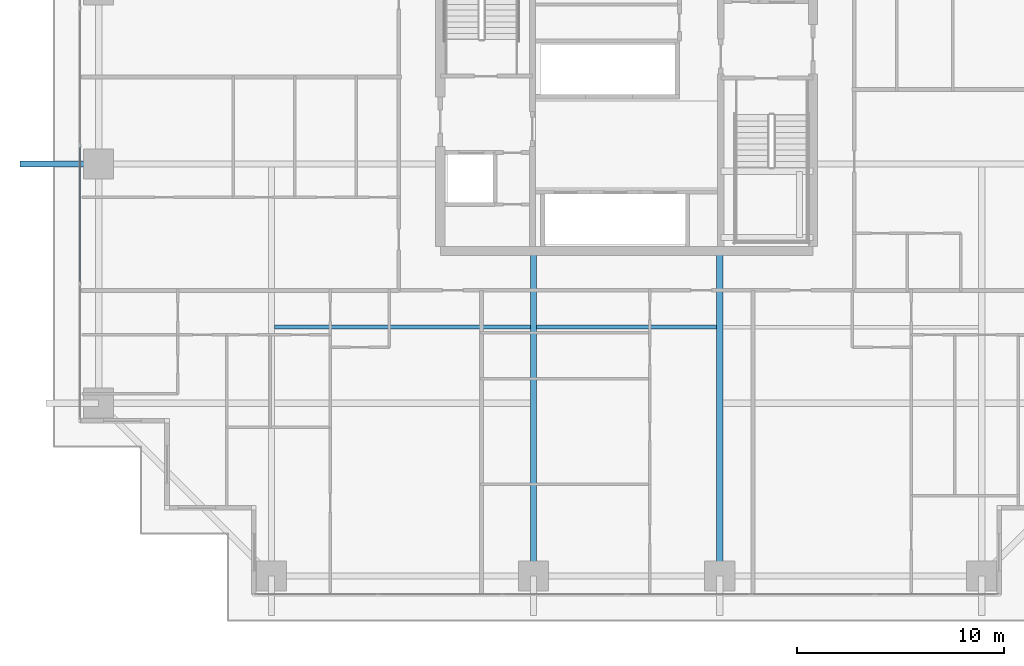
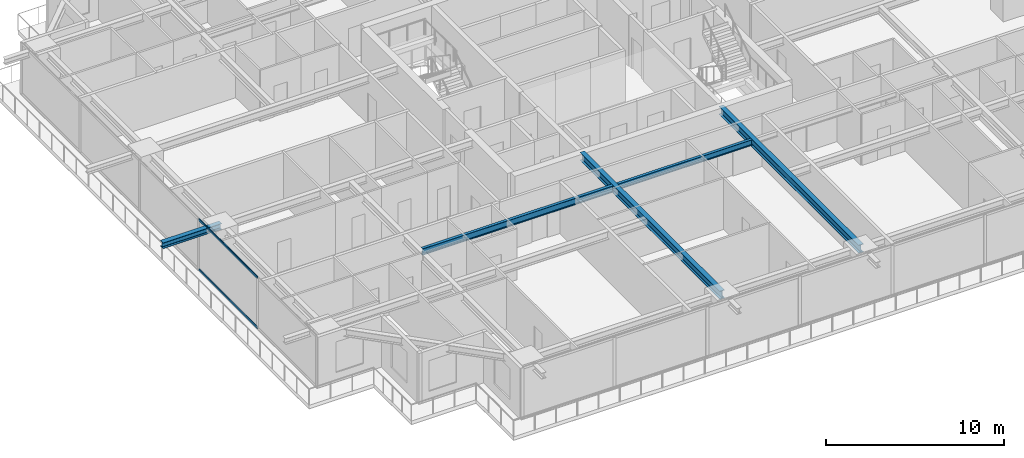
# One storey, part 6 of 38: 5 beams, 2 members, 1 element without a shape of its own.
"""IFC4 building model written with IfcOpenShell, lengths in metres."""

from ifc_helpers import new_model, si_unit, direction, frame, origin, origin_2d, place, context, subcontext, project, spatial, hollow_rectangle, i_section, extrude, source, transform, mapped, material, layer, layer_set, material_profile, profile_set, type_object, element, aggregate, save


model = new_model("IFC4")

# Units and contexts
model_context = context("Model", 3, precision=1e-05, world=origin(), true_north=direction((0.0, 1.0)))
body_context = subcontext(model_context, "Body", "Model", "MODEL_VIEW")
ifc_project = project(units=[si_unit("LENGTHUNIT", "METRE"), si_unit("AREAUNIT", "SQUARE_METRE"), si_unit("VOLUMEUNIT", "CUBIC_METRE"), si_unit("PLANEANGLEUNIT", "RADIAN"), si_unit("MASSUNIT", "GRAM", prefix="KILO")], contexts=[model_context])

# Site, building, storey
site_placement = place(None, origin())
site = spatial("IfcSite", under=ifc_project, at=site_placement, CompositionType="ELEMENT")
building_placement = place(site_placement, origin())
building = spatial("IfcBuilding", under=site, at=building_placement, Name="Serunith Strait Residences", CompositionType="ELEMENT")
storey_placement = place(building_placement, frame((0.0, 0.0, 37.949951171875)))
storey = spatial("IfcBuildingStorey", under=building, at=storey_placement, Name="L08", CompositionType="ELEMENT", Elevation=37.949951171875)

# Beams
ifc_material_1 = material(Name="Steel S355J2", Category="steel")
ifc_material_profile_1 = material_profile(ifc_material_1, i_section(OverallWidth=0.300048828125, OverallDepth=0.550048828125, WebThickness=0.014892578125, FlangeThickness=0.029052734375, FilletRadius=0.027099609375, at=origin_2d()), Name="HEB 550")
ifc_profile_set_1 = profile_set([ifc_material_profile_1], Name="Steel S355J2")
beam_type_1 = type_object("IfcBeamType", Name="BM-HEB550", PredefinedType="BEAM", material=ifc_profile_set_1)
shared_shape_1 = source(origin(), body_context, "Body", "SweptSolid", [
    extrude(i_section(OverallWidth=0.300048828125, OverallDepth=0.550048828125, WebThickness=0.014892578125, FlangeThickness=0.029052734375, FilletRadius=0.027099609375, at=origin_2d()), origin(), (0.0, 0.0, 1.0), 15.699951171875),
])
for number, where, z_axis, x_axis, name in (
    (1, (27.89990234375, 16.800048828125, 3.212158203125), (0.0, -1.0, 0.0), (1.0, 0.0, 0.0), "L08 Primary Floor Girder TC-S2"),
    (2, (36.89990234375, 16.800048828125, 3.212158203125), (0.0, -1.0, 0.0), (1.0, 0.0, 0.0), "L08 Primary Floor Girder TC-S3"),
):
    element("IfcBeam", number, at=place(storey_placement, frame(where, z_axis=z_axis, x_axis=x_axis)), inside=storey, type_object=beam_type_1, Name=name, PredefinedType="BEAM", context=body_context, shape_type="MappedRepresentation", body=[
        mapped(shared_shape_1, transform((0.0, 0.0, 0.0), scale=1.0)),
    ])
ifc_material_profile_2 = material_profile(ifc_material_1, i_section(OverallWidth=0.18994140625, OverallDepth=0.449951171875, WebThickness=0.009521484375, FlangeThickness=0.0146484375, FilletRadius=0.02099609375, at=origin_2d()), Name="IPE 450")
ifc_profile_set_2 = profile_set([ifc_material_profile_2], Name="Steel S355J2")
beam_type_2 = type_object("IfcBeamType", Name="BM-IPE450", PredefinedType="JOIST", material=ifc_profile_set_2)
shared_shape_2 = source(origin(), body_context, "Body", "SweptSolid", [
    extrude(i_section(OverallWidth=0.18994140625, OverallDepth=0.449951171875, WebThickness=0.009521484375, FlangeThickness=0.0146484375, FilletRadius=0.02099609375, at=origin_2d()), origin(), (0.0, 0.0, 1.0), 12.35009765625),
])
beam_1_placement = place(storey_placement, frame((15.39990234375, 13.125, 3.261962890625), z_axis=(1.0, 0.0, 0.0), x_axis=(0.0, 1.0, 0.0)))
element("IfcBeam", 3, at=beam_1_placement, inside=storey, type_object=beam_type_2, Name="L08 Composite Floor Joist 01", PredefinedType="JOIST", context=body_context, shape_type="MappedRepresentation", body=[
    mapped(shared_shape_2, transform((0.0, 0.0, 0.0), scale=1.0)),
])
ifc_material_profile_3 = material_profile(ifc_material_1, i_section(OverallWidth=0.179931640625, OverallDepth=0.39990234375, WebThickness=0.008544921875, FlangeThickness=0.013427734375, FilletRadius=0.02099609375, at=origin_2d()), Name="IPE 400")
ifc_profile_set_3 = profile_set([ifc_material_profile_3], Name="Steel S355J2")
beam_type_3 = type_object("IfcBeamType", Name="BM-IPE400", PredefinedType="JOIST", material=ifc_profile_set_3)
shared_shape_3 = source(origin(), body_context, "Body", "SweptSolid", [
    extrude(i_section(OverallWidth=0.179931640625, OverallDepth=0.39990234375, WebThickness=0.008544921875, FlangeThickness=0.013427734375, FilletRadius=0.02099609375, at=origin_2d()), origin(), (0.0, 0.0, 1.0), 8.699951171875),
])
beam_2_placement = place(storey_placement, frame((28.050048828125, 13.125, 3.287109375), z_axis=(1.0, 0.0, 0.0), x_axis=(0.0, 1.0, 0.0)))
element("IfcBeam", 4, at=beam_2_placement, inside=storey, type_object=beam_type_3, Name="L08 Composite Floor Joist 02", PredefinedType="JOIST", context=body_context, shape_type="MappedRepresentation", body=[
    mapped(shared_shape_3, transform((0.0, 0.0, 0.0), scale=1.0)),
])
ifc_material_profile_4 = material_profile(ifc_material_1, i_section(OverallWidth=0.300048828125, OverallDepth=0.39990234375, WebThickness=0.013427734375, FlangeThickness=0.02392578125, FilletRadius=0.027099609375, at=origin_2d()), Name="HEB 400")
ifc_profile_set_4 = profile_set([ifc_material_profile_4], Name="Steel S355J2")
beam_type_4 = type_object("IfcBeamType", Name="BM-HEB400", PredefinedType="BEAM", material=ifc_profile_set_4)
shared_shape_4 = source(origin(), body_context, "Body", "SweptSolid", [
    extrude(i_section(OverallWidth=0.300048828125, OverallDepth=0.39990234375, WebThickness=0.013427734375, FlangeThickness=0.02392578125, FilletRadius=0.027099609375, at=origin_2d()), origin(), (0.0, 0.0, 1.0), 3.7998046875),
])
beam_3_placement = place(storey_placement, frame((6.89990234375, 21.0, 3.257080078125), z_axis=(-1.0, 0.0, 0.0), x_axis=(0.0, -1.0, 0.0)))
element("IfcBeam", 5, at=beam_3_placement, inside=storey, type_object=beam_type_4, Name="L09 Cantilevered Balcony Rib TC-W2", PredefinedType="BEAM", context=body_context, shape_type="MappedRepresentation", body=[
    mapped(shared_shape_4, transform((0.0, 0.0, 0.0), scale=1.0)),
])

# Curtain wall, members
ifc_material_2 = material(Name="Pale-Champagne Anodised Aluminium", Category="aluminium")
ifc_layer = layer(ifc_material_2, 0.199951171875, Name="Pale-Champagne Anodised Aluminium")
ifc_layer_set = layer_set([ifc_layer], Name="Pale-Champagne Anodised Aluminium")
curtain_wall_type = type_object("IfcCurtainWallType", Name="CW-SYS1", PredefinedType="NOTDEFINED", material=ifc_layer_set)
curtain_wall_placement = place(storey_placement, origin())
curtain_wall = element("IfcCurtainWall", 6, at=curtain_wall_placement, inside=storey, type_object=curtain_wall_type, Name="L08 W Unitised Fritted Curtain Wall", PredefinedType="NOTDEFINED")
ifc_material_profile_5 = material_profile(ifc_material_2, hollow_rectangle(XDim=0.06005859375, YDim=0.159912109375, WallThickness=0.00341796875, InnerFilletRadius=0.00537109375, OuterFilletRadius=0.0087890625, at=origin_2d()), Name="ALU 160x60x3.5")
ifc_profile_set_5 = profile_set([ifc_material_profile_5], Name="Pale-Champagne Anodised Aluminium")
member_type = type_object("IfcMemberType", Name="CW-SYS1-TRAN", PredefinedType="USERDEFINED", material=ifc_profile_set_5)
shared_shape_5 = source(origin(), body_context, "Body", "SweptSolid", [
    extrude(hollow_rectangle(XDim=0.06005859375, YDim=0.159912109375, WallThickness=0.00341796875, InnerFilletRadius=0.00537109375, OuterFilletRadius=0.0087890625, at=origin_2d()), origin(), (0.0, 0.0, 1.0), 6.570068359375),
])
member_1_placement = place(storey_placement, frame((6.0, 21.844970703125, 0.030029296875), z_axis=(0.0, -1.0, 0.0), x_axis=(1.0, 0.0, 0.0)))
member_1 = element("IfcMember", 7, at=member_1_placement, type_object=member_type, Name="CW-1 transom 4.1", ObjectType="TRANSOM", PredefinedType="USERDEFINED", context=body_context, shape_type="MappedRepresentation", body=[
    mapped(shared_shape_5, transform((0.0, 0.0, 0.0), scale=1.0)),
])
member_2_placement = place(storey_placement, frame((6.0, 21.844970703125, 3.445068359375), z_axis=(0.0, -1.0, 0.0), x_axis=(1.0, 0.0, 0.0)))
member_2 = element("IfcMember", 8, at=member_2_placement, type_object=member_type, Name="CW-1 transom 4.2", ObjectType="TRANSOM", PredefinedType="USERDEFINED", context=body_context, shape_type="MappedRepresentation", body=[
    mapped(shared_shape_5, transform((0.0, 0.0, 0.0), scale=1.0)),
])
aggregate(curtain_wall, [member_1, member_2])

save(model, "model.ifc")
